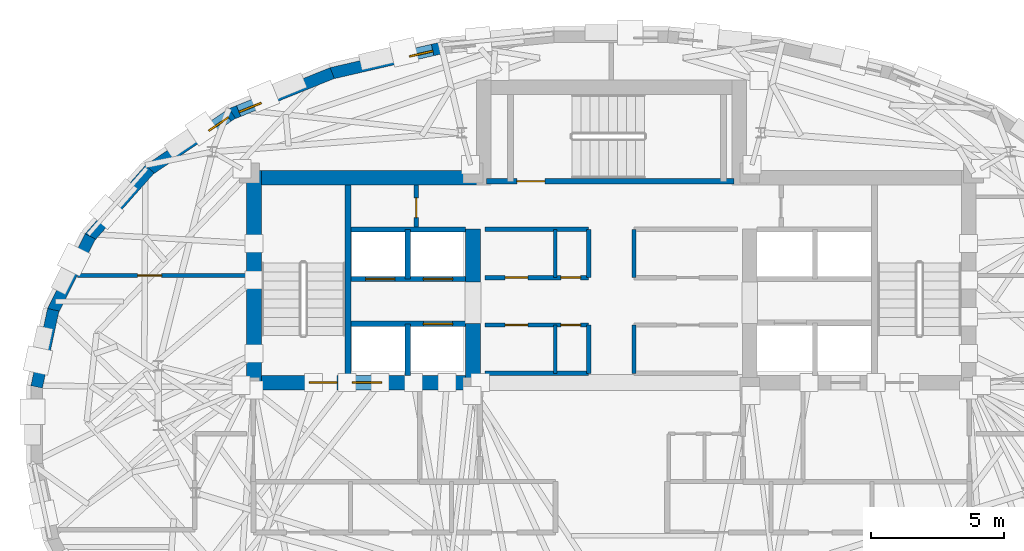
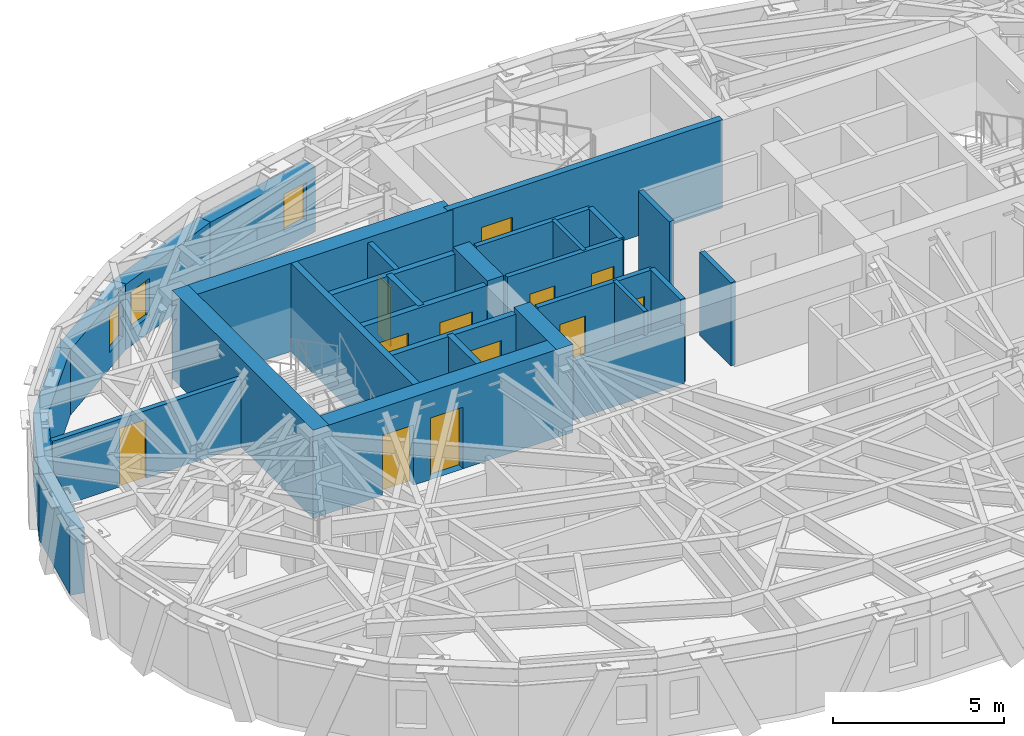
# One storey, part 7 of 12: 30 walls, 12 doors, 3 windows, 15 openings.
"""IFC4 building model written with IfcOpenShell, lengths in metres."""

from ifc_helpers import new_model, si_unit, direction, frame, frame_2d, origin, place, context, subcontext, project, spatial, rectangle, extrude, material, layer, layer_set, type_object, element, fill, save


model = new_model("IFC4")

# Units and contexts
model_context = context("Model", 3, precision=1e-05, world=origin(), true_north=direction((0.0, 1.0)))
body_context = subcontext(model_context, "Body", "Model", "MODEL_VIEW")
ifc_project = project(units=[si_unit("LENGTHUNIT", "METRE"), si_unit("AREAUNIT", "SQUARE_METRE"), si_unit("VOLUMEUNIT", "CUBIC_METRE"), si_unit("PLANEANGLEUNIT", "RADIAN"), si_unit("MASSUNIT", "GRAM", prefix="KILO")], contexts=[model_context])

# Site, building, storey
site_placement = place(None, origin())
site = spatial("IfcSite", under=ifc_project, at=site_placement, CompositionType="ELEMENT")
building_placement = place(site_placement, origin())
building = spatial("IfcBuilding", under=site, at=building_placement, Name="Keldmark Tower", CompositionType="ELEMENT")
storey_placement = place(building_placement, frame((0.0, 0.0, 238.35009765625)))
storey = spatial("IfcBuildingStorey", under=building, at=storey_placement, Name="L67", CompositionType="ELEMENT", Elevation=238.35009765625)

# Walls
ifc_material_1 = material(Name="Concrete C50/60", Category="concrete")
ifc_layer_1 = layer(ifc_material_1, 0.550048828125)
ifc_layer_set_1 = layer_set([ifc_layer_1], Name="Concrete C50/60")
wall_type_1 = type_object("IfcWallType", Name="High-Rise Core Shear Wall 550 mm", PredefinedType="SHEAR", material=ifc_layer_set_1)
wall_1_placement = place(storey_placement, frame((-13.425048828125, 1.300048828125, 0.0), z_axis=(0.0, 0.0, 1.0), x_axis=(0.0, 1.0, 0.0)))
element("IfcWall", 1, at=wall_1_placement, inside=storey, type_object=wall_type_1, Name="L67 West Core Outer Shear Wall", PredefinedType="SHEAR", context=body_context, shape_type="SweptSolid", body=[
    extrude(rectangle(XDim=8.25, YDim=0.550048828125, at=frame_2d((4.125, 0.0))), origin(), (0.0, 0.0, 1.0), 3.14990234375),
])
wall_2_placement = place(storey_placement, frame((-13.699951171875, 9.27490234375, 0.0), z_axis=(0.0, 0.0, 1.0), x_axis=(1.0, 0.0, 0.0)))
element("IfcWall", 2, at=wall_2_placement, inside=storey, type_object=wall_type_1, Name="L67 West Core North Shear Wall", PredefinedType="SHEAR", context=body_context, shape_type="SweptSolid", body=[
    extrude(rectangle(XDim=9.175048828125, YDim=0.550048828125, at=frame_2d((4.58740234375, 0.0))), origin(), (0.0, 0.0, 1.0), 3.14990234375),
])

# Wall, openings, doors
wall_3_placement = place(storey_placement, frame((-4.925048828125, 1.574951171875, 0.0), z_axis=(0.0, 0.0, 1.0), x_axis=(-1.0, 0.0, 0.0)))
wall_3 = element("IfcWall", 3, at=wall_3_placement, inside=storey, type_object=wall_type_1, Name="L67 West Core South Shear Wall", PredefinedType="SHEAR", context=body_context, shape_type="SweptSolid", body=[
    extrude(rectangle(XDim=8.77490234375, YDim=0.550048828125, at=frame_2d((4.387451171875, 0.0))), origin(), (0.0, 0.0, 1.0), 3.14990234375),
])
opening_1_placement = place(wall_3_placement, frame((5.375, 0.0, 0.0)))
opening_1 = element("IfcOpeningElement", 4, at=opening_1_placement, cuts=wall_3, Name="Opening D-ST105", PredefinedType="OPENING", context=body_context, shape_type="SweptSolid", body=[
    extrude(rectangle(XDim=1.050048828125, YDim=2.14990234375, at=frame_2d((0.52490234375, 1.074951171875))), frame((0.0, 0.284912109375, 0.0), z_axis=(0.0, -1.0, 0.0), x_axis=(1.0, 0.0, 0.0)), (0.0, 0.0, 1.0), 0.570068359375),
])
opening_2_placement = place(wall_3_placement, frame((3.705078125, 0.0, 0.0)))
opening_2 = element("IfcOpeningElement", 5, at=opening_2_placement, cuts=wall_3, Name="Opening LD-110", PredefinedType="OPENING", context=body_context, shape_type="SweptSolid", body=[
    extrude(rectangle(XDim=1.10009765625, YDim=2.199951171875, at=frame_2d((0.550048828125, 1.10009765625))), frame((0.0, 0.284912109375, 0.0), z_axis=(0.0, -1.0, 0.0), x_axis=(1.0, 0.0, 0.0)), (0.0, 0.0, 1.0), 0.570068359375),
])
ifc_material_2 = material(Name="Brushed Bronze Hoistway Sliding Leaf", Category="metal")
door_type_1 = type_object("IfcDoorType", Name="Lift Landing Sliding Door 1100x2200", OperationType="SLIDING_TO_LEFT", PredefinedType="DOOR", material=ifc_material_2)
door_1_placement = place(opening_2_placement, origin())
door_1 = element("IfcDoor", 6, at=door_1_placement, inside=storey, type_object=door_type_1, Name="L67 Lift Landing Sliding Door 1100x2200 LD-EL-FS1-L67", OperationType="SLIDING_TO_LEFT", OverallHeight=2.199951171875, OverallWidth=1.10009765625, PredefinedType="DOOR", context=body_context, shape_type="SweptSolid", body=[
    extrude(rectangle(XDim=1.10009765625, YDim=2.199951171875, at=frame_2d((0.550048828125, 1.10009765625))), frame((0.0, 0.02490234375, 0.0), z_axis=(0.0, -1.0, 0.0), x_axis=(1.0, 0.0, 0.0)), (0.0, 0.0, 1.0), 0.050048828125),
])
fill(opening_2, door_1)
ifc_material_3 = material(Name="Hollow Metal Fire-Rated Door Assembly", Category="metal")
door_type_2 = type_object("IfcDoorType", Name="Stair Fire Door 1050x2150", OperationType="NOTDEFINED", PredefinedType="DOOR", material=ifc_material_3)
door_2_placement = place(opening_1_placement, origin())
door_2 = element("IfcDoor", 7, at=door_2_placement, inside=storey, type_object=door_type_2, Name="L67 Stair Fire Door 1050x2150 D-ST1-L67", OperationType="SINGLE_SWING_RIGHT", OverallHeight=2.14990234375, OverallWidth=1.050048828125, PredefinedType="DOOR", context=body_context, shape_type="SweptSolid", body=[
    extrude(rectangle(XDim=1.050048828125, YDim=2.14990234375, at=frame_2d((0.52490234375, 1.074951171875))), frame((0.0, 0.02490234375, 0.0), z_axis=(0.0, -1.0, 0.0), x_axis=(1.0, 0.0, 0.0)), (0.0, 0.0, 1.0), 0.050048828125),
])
fill(opening_1, door_2)

# Walls
wall_4_placement = place(storey_placement, frame((-5.199951171875, 1.300048828125, 0.0), z_axis=(0.0, 0.0, 1.0), x_axis=(0.0, 1.0, 0.0)))
element("IfcWall", 8, at=wall_4_placement, inside=storey, type_object=wall_type_1, Name="L67 West Core Inner Shear Pier South", PredefinedType="SHEAR", context=body_context, shape_type="SweptSolid", body=[
    extrude(rectangle(XDim=2.5, YDim=0.550048828125, at=frame_2d((1.25, 0.0))), origin(), (0.0, 0.0, 1.0), 3.14990234375),
])
wall_5_placement = place(storey_placement, frame((-5.199951171875, 5.35009765625, 0.0), z_axis=(0.0, 0.0, 1.0), x_axis=(0.0, 1.0, 0.0)))
element("IfcWall", 9, at=wall_5_placement, inside=storey, type_object=wall_type_1, Name="L67 West Core Inner Shear Pier North", PredefinedType="SHEAR", context=body_context, shape_type="SweptSolid", body=[
    extrude(rectangle(XDim=2.0, YDim=0.550048828125, at=frame_2d((1.0, 0.0))), origin(), (0.0, 0.0, 1.0), 3.14990234375),
])
ifc_material_4 = material(Name="Acoustic Gypsum Board Interior Partition", Category="gypsum")
ifc_layer_2 = layer(ifc_material_4, 0.1298828125)
ifc_layer_set_2 = layer_set([ifc_layer_2], Name="Acoustic Gypsum Board Interior Partition")
wall_type_2 = type_object("IfcWallType", Name="Interior Partition 130 mm", PredefinedType="PARTITIONING", material=ifc_layer_set_2)
wall_6_placement = place(storey_placement, frame((-2.10009765625, 1.919921875, 0.0), z_axis=(0.0, 0.0, 1.0), x_axis=(0.0, 1.0, 0.0)))
element("IfcWall", 10, at=wall_6_placement, inside=storey, type_object=wall_type_2, Name="L67 Interior Partition 130 mm REC-LW-M", PredefinedType="PARTITIONING", context=body_context, shape_type="SweptSolid", body=[
    extrude(rectangle(XDim=1.820068359375, YDim=0.1298828125, at=frame_2d((0.91015625, 0.0))), origin(), (0.0, 0.0, 1.0), 2.969970703125),
])
wall_7_placement = place(storey_placement, frame((-2.10009765625, 5.52001953125, 0.0), z_axis=(0.0, 0.0, 1.0), x_axis=(0.0, 1.0, 0.0)))
element("IfcWall", 11, at=wall_7_placement, inside=storey, type_object=wall_type_2, Name="L67 Interior Partition 130 mm REC-MW-M", PredefinedType="PARTITIONING", context=body_context, shape_type="SweptSolid", body=[
    extrude(rectangle(XDim=1.81005859375, YDim=0.1298828125, at=frame_2d((0.905029296875, 0.0))), origin(), (0.0, 0.0, 1.0), 2.969970703125),
])
ifc_material_5 = material(Name="Type X Fire-Rated Gypsum Partition Assembly", Category="gypsum")
ifc_layer_3 = layer(ifc_material_5, 0.1650390625)
ifc_layer_set_3 = layer_set([ifc_layer_3], Name="Type X Fire-Rated Gypsum Partition Assembly")
wall_type_3 = type_object("IfcWallType", Name="Rated Partition 165 mm", PredefinedType="PARTITIONING", material=ifc_layer_set_3)
wall_8_placement = place(storey_placement, frame((-4.739990234375, 1.919921875, 0.0), z_axis=(0.0, 0.0, 1.0), x_axis=(1.0, 0.0, 0.0)))
element("IfcWall", 12, at=wall_8_placement, inside=storey, type_object=wall_type_3, Name="L67 Rated Partition 165 mm REC-LW-S", PredefinedType="PARTITIONING", context=body_context, shape_type="SweptSolid", body=[
    extrude(rectangle(XDim=3.889892578125, YDim=0.1650390625, at=frame_2d((1.94482421875, 0.0))), origin(), (0.0, 0.0, 1.0), 2.10986328125),
])

# Wall, openings, doors
wall_9_placement = place(storey_placement, frame((-4.739990234375, 3.739990234375, 0.0), z_axis=(0.0, 0.0, 1.0), x_axis=(1.0, 0.0, 0.0)))
wall_9 = element("IfcWall", 13, at=wall_9_placement, inside=storey, type_object=wall_type_3, Name="L67 Rated Partition 165 mm REC-LW-N", PredefinedType="PARTITIONING", context=body_context, shape_type="SweptSolid", body=[
    extrude(rectangle(XDim=3.889892578125, YDim=0.1650390625, at=frame_2d((1.94482421875, 0.0))), origin(), (0.0, 0.0, 1.0), 2.969970703125),
])
opening_3_placement = place(wall_9_placement, frame((0.75, 0.0, 0.0)))
opening_3 = element("IfcOpeningElement", 14, at=opening_3_placement, cuts=wall_9, Name="Opening D-SV085", PredefinedType="OPENING", context=body_context, shape_type="SweptSolid", body=[
    extrude(rectangle(XDim=0.85009765625, YDim=2.10009765625, at=frame_2d((0.425048828125, 1.050048828125))), frame((0.0, 0.092529296875, 0.0), z_axis=(0.0, -1.0, 0.0), x_axis=(1.0, 0.0, 0.0)), (0.0, 0.0, 1.0), 0.18505859375),
])
opening_4_placement = place(wall_9_placement, frame((2.840087890625, 0.0, 0.0)))
opening_4 = element("IfcOpeningElement", 15, at=opening_4_placement, cuts=wall_9, Name="Opening D-RS075", PredefinedType="OPENING", context=body_context, shape_type="SweptSolid", body=[
    extrude(rectangle(XDim=0.75, YDim=2.10009765625, at=frame_2d((0.375, 1.050048828125))), frame((0.0, 0.092529296875, 0.0), z_axis=(0.0, -1.0, 0.0), x_axis=(1.0, 0.0, 0.0)), (0.0, 0.0, 1.0), 0.18505859375),
])
ifc_material_6 = material(Name="Galvanized Fire-Rated Access Leaf", Category="metal")
door_type_3 = type_object("IfcDoorType", Name="Riser Access Door 750x2100", OperationType="NOTDEFINED", PredefinedType="DOOR", material=ifc_material_6)
door_3_placement = place(opening_4_placement, origin())
door_3 = element("IfcDoor", 16, at=door_3_placement, inside=storey, type_object=door_type_3, Name="L67 Riser Access Door 750x2100 D-RECLW2-L67", OperationType="SINGLE_SWING_RIGHT", OverallHeight=2.10009765625, OverallWidth=0.75, PredefinedType="DOOR", context=body_context, shape_type="SweptSolid", body=[
    extrude(rectangle(XDim=0.75, YDim=2.10009765625, at=frame_2d((0.375, 1.050048828125))), frame((0.0, 0.02490234375, 0.0), z_axis=(0.0, -1.0, 0.0), x_axis=(1.0, 0.0, 0.0)), (0.0, 0.0, 1.0), 0.050048828125),
])
fill(opening_4, door_3)
ifc_material_7 = material(Name="Painted Hollow Metal Door Assembly", Category="metal")
door_type_4 = type_object("IfcDoorType", Name="Service Door 850x2100", OperationType="NOTDEFINED", PredefinedType="DOOR", material=ifc_material_7)
door_4_placement = place(opening_3_placement, origin())
door_4 = element("IfcDoor", 17, at=door_4_placement, inside=storey, type_object=door_type_4, Name="L67 Service Door 850x2100 D-RECLW1-L67", OperationType="SINGLE_SWING_LEFT", OverallHeight=2.10009765625, OverallWidth=0.85009765625, PredefinedType="DOOR", context=body_context, shape_type="SweptSolid", body=[
    extrude(rectangle(XDim=0.85009765625, YDim=2.10009765625, at=frame_2d((0.425048828125, 1.050048828125))), frame((0.0, 0.02490234375, 0.0), z_axis=(0.0, -1.0, 0.0), x_axis=(1.0, 0.0, 0.0)), (0.0, 0.0, 1.0), 0.050048828125),
])
fill(opening_3, door_4)

# Walls
for number, where, z_axis, x_axis, name in (
    (18, (-0.85009765625, 1.919921875, 0.0), (0.0, 0.0, 1.0), (0.0, 1.0, 0.0), "L67 Rated Partition 165 mm REC-LW-E"),
    (19, (0.85009765625, 1.919921875, 0.0), (0.0, 0.0, 1.0), (0.0, 1.0, 0.0), "L67 Rated Partition 165 mm REC-LE-W"),
):
    element("IfcWall", number, at=place(storey_placement, frame(where, z_axis=z_axis, x_axis=x_axis)), inside=storey, type_object=wall_type_3, Name=name, PredefinedType="PARTITIONING", context=body_context, shape_type="SweptSolid", body=[
        extrude(rectangle(XDim=1.820068359375, YDim=0.1650390625, at=frame_2d((0.91015625, 0.0))), origin(), (0.0, 0.0, 1.0), 2.969970703125),
    ])

# Wall, openings, doors
wall_10_placement = place(storey_placement, frame((-4.739990234375, 5.52001953125, 0.0), z_axis=(0.0, 0.0, 1.0), x_axis=(1.0, 0.0, 0.0)))
wall_10 = element("IfcWall", 20, at=wall_10_placement, inside=storey, type_object=wall_type_3, Name="L67 Rated Partition 165 mm REC-MW-S", PredefinedType="PARTITIONING", context=body_context, shape_type="SweptSolid", body=[
    extrude(rectangle(XDim=3.889892578125, YDim=0.1650390625, at=frame_2d((1.94482421875, 0.0))), origin(), (0.0, 0.0, 1.0), 2.969970703125),
])
opening_5_placement = place(wall_10_placement, frame((0.75, 0.0, 0.0)))
opening_5 = element("IfcOpeningElement", 21, at=opening_5_placement, cuts=wall_10, Name="Opening D-SV085", PredefinedType="OPENING", context=body_context, shape_type="SweptSolid", body=[
    extrude(rectangle(XDim=0.85009765625, YDim=2.10009765625, at=frame_2d((0.425048828125, 1.050048828125))), frame((0.0, 0.092529296875, 0.0), z_axis=(0.0, -1.0, 0.0), x_axis=(1.0, 0.0, 0.0)), (0.0, 0.0, 1.0), 0.18505859375),
])
opening_6_placement = place(wall_10_placement, frame((2.840087890625, 0.0, 0.0)))
opening_6 = element("IfcOpeningElement", 22, at=opening_6_placement, cuts=wall_10, Name="Opening D-RS075", PredefinedType="OPENING", context=body_context, shape_type="SweptSolid", body=[
    extrude(rectangle(XDim=0.75, YDim=2.10009765625, at=frame_2d((0.375, 1.050048828125))), frame((0.0, 0.092529296875, 0.0), z_axis=(0.0, -1.0, 0.0), x_axis=(1.0, 0.0, 0.0)), (0.0, 0.0, 1.0), 0.18505859375),
])
door_5_placement = place(opening_6_placement, origin())
door_5 = element("IfcDoor", 23, at=door_5_placement, inside=storey, type_object=door_type_3, Name="L67 Riser Access Door 750x2100 D-RECMW2-L67", OperationType="SINGLE_SWING_RIGHT", OverallHeight=2.10009765625, OverallWidth=0.75, PredefinedType="DOOR", context=body_context, shape_type="SweptSolid", body=[
    extrude(rectangle(XDim=0.75, YDim=2.10009765625, at=frame_2d((0.375, 1.050048828125))), frame((0.0, 0.02490234375, 0.0), z_axis=(0.0, -1.0, 0.0), x_axis=(1.0, 0.0, 0.0)), (0.0, 0.0, 1.0), 0.050048828125),
])
fill(opening_6, door_5)
door_6_placement = place(opening_5_placement, origin())
door_6 = element("IfcDoor", 24, at=door_6_placement, inside=storey, type_object=door_type_4, Name="L67 Service Door 850x2100 D-RECMW1-L67", OperationType="SINGLE_SWING_RIGHT", OverallHeight=2.10009765625, OverallWidth=0.85009765625, PredefinedType="DOOR", context=body_context, shape_type="SweptSolid", body=[
    extrude(rectangle(XDim=0.85009765625, YDim=2.10009765625, at=frame_2d((0.425048828125, 1.050048828125))), frame((0.0, 0.02490234375, 0.0), z_axis=(0.0, -1.0, 0.0), x_axis=(1.0, 0.0, 0.0)), (0.0, 0.0, 1.0), 0.050048828125),
])
fill(opening_5, door_6)

# Walls
wall_11_placement = place(storey_placement, frame((-4.739990234375, 7.330078125, 0.0), z_axis=(0.0, 0.0, 1.0), x_axis=(1.0, 0.0, 0.0)))
element("IfcWall", 25, at=wall_11_placement, inside=storey, type_object=wall_type_3, Name="L67 Rated Partition 165 mm REC-MW-N", PredefinedType="PARTITIONING", context=body_context, shape_type="SweptSolid", body=[
    extrude(rectangle(XDim=3.889892578125, YDim=0.1650390625, at=frame_2d((1.94482421875, 0.0))), origin(), (0.0, 0.0, 1.0), 2.969970703125),
])
for number, where, z_axis, x_axis, name in (
    (26, (-0.85009765625, 5.52001953125, 0.0), (0.0, 0.0, 1.0), (0.0, 1.0, 0.0), "L67 Rated Partition 165 mm REC-MW-E"),
    (27, (0.85009765625, 5.52001953125, 0.0), (0.0, 0.0, 1.0), (0.0, 1.0, 0.0), "L67 Rated Partition 165 mm REC-ME-W"),
):
    element("IfcWall", number, at=place(storey_placement, frame(where, z_axis=z_axis, x_axis=x_axis)), inside=storey, type_object=wall_type_3, Name=name, PredefinedType="PARTITIONING", context=body_context, shape_type="SweptSolid", body=[
        extrude(rectangle(XDim=1.81005859375, YDim=0.1650390625, at=frame_2d((0.905029296875, 0.0))), origin(), (0.0, 0.0, 1.0), 2.969970703125),
    ])

# Wall, opening, door
wall_12_placement = place(storey_placement, frame((-7.330078125, 7.419921875, 0.0), z_axis=(0.0, 0.0, 1.0), x_axis=(0.0, 1.0, 0.0)))
wall_12 = element("IfcWall", 28, at=wall_12_placement, inside=storey, type_object=wall_type_3, Name="L67 Rated Partition 165 mm CS-NW-E", PredefinedType="PARTITIONING", context=body_context, shape_type="SweptSolid", body=[
    extrude(rectangle(XDim=1.580078125, YDim=0.1650390625, at=frame_2d((0.7900390625, 0.0))), origin(), (0.0, 0.0, 1.0), 2.969970703125),
])
opening_7_placement = place(wall_12_placement, frame((0.35009765625, 0.0, 0.0)))
opening_7 = element("IfcOpeningElement", 29, at=opening_7_placement, cuts=wall_12, Name="Opening D-RS075", PredefinedType="OPENING", context=body_context, shape_type="SweptSolid", body=[
    extrude(rectangle(XDim=0.75, YDim=2.10009765625, at=frame_2d((0.375, 1.050048828125))), frame((0.0, 0.092529296875, 0.0), z_axis=(0.0, -1.0, 0.0), x_axis=(1.0, 0.0, 0.0)), (0.0, 0.0, 1.0), 0.18505859375),
])
door_7_placement = place(opening_7_placement, origin())
door_7 = element("IfcDoor", 30, at=door_7_placement, inside=storey, type_object=door_type_3, Name="L67 Riser Access Door 750x2100 D-CSNW1-L67", OperationType="SINGLE_SWING_RIGHT", OverallHeight=2.10009765625, OverallWidth=0.75, PredefinedType="DOOR", context=body_context, shape_type="SweptSolid", body=[
    extrude(rectangle(XDim=0.75, YDim=2.10009765625, at=frame_2d((0.375, 1.050048828125))), frame((0.0, 0.02490234375, 0.0), z_axis=(0.0, -1.0, 0.0), x_axis=(1.0, 0.0, 0.0)), (0.0, 0.0, 1.0), 0.050048828125),
])
fill(opening_7, door_7)

wall_13_placement = place(storey_placement, frame((-20.059814453125, 5.60009765625, 0.0), z_axis=(0.0, 0.0, 1.0), x_axis=(1.0, 0.0, 0.0)))
wall_13 = element("IfcWall", 31, at=wall_13_placement, inside=storey, type_object=wall_type_3, Name="L67 Rated Partition 165 mm RW-NDIV", PredefinedType="PARTITIONING", context=body_context, shape_type="SweptSolid", body=[
    extrude(rectangle(XDim=6.35986328125, YDim=0.1650390625, at=frame_2d((3.179931640625, 0.0))), origin(), (0.0, 0.0, 1.0), 2.4228515625),
])
opening_8_placement = place(wall_13_placement, frame((2.2587890625, 0.0, 0.0)))
opening_8 = element("IfcOpeningElement", 32, at=opening_8_placement, cuts=wall_13, Name="Opening D-IN090", PredefinedType="OPENING", context=body_context, shape_type="SweptSolid", body=[
    extrude(rectangle(XDim=0.89990234375, YDim=2.10009765625, at=frame_2d((0.449951171875, 1.050048828125))), frame((0.0, 0.092529296875, 0.0), z_axis=(0.0, -1.0, 0.0), x_axis=(1.0, 0.0, 0.0)), (0.0, 0.0, 1.0), 0.18505859375),
])
ifc_material_8 = material(Name="Stained American White Oak Veneer", Category="wood")
door_type_5 = type_object("IfcDoorType", Name="Interior Door 900x2100", OperationType="NOTDEFINED", PredefinedType="DOOR", material=ifc_material_8)
door_8_placement = place(opening_8_placement, origin())
door_8 = element("IfcDoor", 33, at=door_8_placement, inside=storey, type_object=door_type_5, Name="L67 Interior Door 900x2100 D-RWN1-L67", OperationType="SINGLE_SWING_LEFT", OverallHeight=2.10009765625, OverallWidth=0.89990234375, PredefinedType="DOOR", context=body_context, shape_type="SweptSolid", body=[
    extrude(rectangle(XDim=0.89990234375, YDim=2.10009765625, at=frame_2d((0.449951171875, 1.050048828125))), frame((0.0, 0.02490234375, 0.0), z_axis=(0.0, -1.0, 0.0), x_axis=(1.0, 0.0, 0.0)), (0.0, 0.0, 1.0), 0.050048828125),
])
fill(opening_8, door_8)

ifc_material_9 = material(Name="Fire-Resistant Type X Gypsum Shaftliner Coreboard", Category="gypsum")
ifc_layer_4 = layer(ifc_material_9, 0.199951171875)
ifc_layer_set_4 = layer_set([ifc_layer_4], Name="Fire-Resistant Type X Gypsum Shaftliner Coreboard")
wall_type_4 = type_object("IfcWallType", Name="Shaft Wall 200 mm", PredefinedType="SOLIDWALL", material=ifc_layer_set_4)
wall_14_placement = place(storey_placement, frame((-9.780029296875, 3.780029296875, 0.0), z_axis=(0.0, 0.0, 1.0), x_axis=(1.0, 0.0, 0.0)))
wall_14 = element("IfcWall", 34, at=wall_14_placement, inside=storey, type_object=wall_type_4, Name="L67 Shaft Wall 200 mm HW-W-S", PredefinedType="SOLIDWALL", context=body_context, shape_type="SweptSolid", body=[
    extrude(rectangle(XDim=4.304931640625, YDim=0.199951171875, at=frame_2d((2.15234375, 0.0))), origin(), (0.0, 0.0, 1.0), 2.969970703125),
])
opening_9_placement = place(wall_14_placement, frame((2.719970703125, 0.0, 0.0)))
opening_9 = element("IfcOpeningElement", 35, at=opening_9_placement, cuts=wall_14, Name="Opening LD-110", PredefinedType="OPENING", context=body_context, shape_type="SweptSolid", body=[
    extrude(rectangle(XDim=1.10009765625, YDim=2.199951171875, at=frame_2d((0.550048828125, 1.10009765625))), frame((0.0, 0.10986328125, 0.0), z_axis=(0.0, -1.0, 0.0), x_axis=(1.0, 0.0, 0.0)), (0.0, 0.0, 1.0), 0.219970703125),
])
door_9_placement = place(opening_9_placement, origin())
door_9 = element("IfcDoor", 36, at=door_9_placement, inside=storey, type_object=door_type_1, Name="L67 Lift Landing Sliding Door 1100x2200 LD-EL-H3-L67", OperationType="SLIDING_TO_LEFT", OverallHeight=2.199951171875, OverallWidth=1.10009765625, PredefinedType="DOOR", context=body_context, shape_type="SweptSolid", body=[
    extrude(rectangle(XDim=1.10009765625, YDim=2.199951171875, at=frame_2d((0.550048828125, 1.10009765625))), frame((0.0, 0.02490234375, 0.0), z_axis=(0.0, -1.0, 0.0), x_axis=(1.0, 0.0, 0.0)), (0.0, 0.0, 1.0), 0.050048828125),
])
fill(opening_9, door_9)

# Wall
wall_15_placement = place(storey_placement, frame((-7.64990234375, 1.85009765625, 0.0), z_axis=(0.0, 0.0, 1.0), x_axis=(0.0, 1.0, 0.0)))
element("IfcWall", 37, at=wall_15_placement, inside=storey, type_object=wall_type_4, Name="L67 Shaft Wall 200 mm HW-W-M", PredefinedType="SOLIDWALL", context=body_context, shape_type="SweptSolid", body=[
    extrude(rectangle(XDim=1.929931640625, YDim=0.199951171875, at=frame_2d((0.96484375, 0.0))), origin(), (0.0, 0.0, 1.0), 2.969970703125),
])

# Wall, openings, doors
wall_16_placement = place(storey_placement, frame((-9.780029296875, 5.469970703125, 0.0), z_axis=(0.0, 0.0, 1.0), x_axis=(1.0, 0.0, 0.0)))
wall_16 = element("IfcWall", 38, at=wall_16_placement, inside=storey, type_object=wall_type_4, Name="L67 Shaft Wall 200 mm HW-W-N", PredefinedType="SOLIDWALL", context=body_context, shape_type="SweptSolid", body=[
    extrude(rectangle(XDim=4.304931640625, YDim=0.199951171875, at=frame_2d((2.15234375, 0.0))), origin(), (0.0, 0.0, 1.0), 2.969970703125),
])
opening_10_placement = place(wall_16_placement, frame((0.550048828125, 0.0, 0.0)))
opening_10 = element("IfcOpeningElement", 39, at=opening_10_placement, cuts=wall_16, Name="Opening LD-110", PredefinedType="OPENING", context=body_context, shape_type="SweptSolid", body=[
    extrude(rectangle(XDim=1.10009765625, YDim=2.199951171875, at=frame_2d((0.550048828125, 1.10009765625))), frame((0.0, 0.10986328125, 0.0), z_axis=(0.0, -1.0, 0.0), x_axis=(1.0, 0.0, 0.0)), (0.0, 0.0, 1.0), 0.219970703125),
])
opening_11_placement = place(wall_16_placement, frame((2.719970703125, 0.0, 0.0)))
opening_11 = element("IfcOpeningElement", 40, at=opening_11_placement, cuts=wall_16, Name="Opening LD-110", PredefinedType="OPENING", context=body_context, shape_type="SweptSolid", body=[
    extrude(rectangle(XDim=1.10009765625, YDim=2.199951171875, at=frame_2d((0.550048828125, 1.10009765625))), frame((0.0, 0.10986328125, 0.0), z_axis=(0.0, -1.0, 0.0), x_axis=(1.0, 0.0, 0.0)), (0.0, 0.0, 1.0), 0.219970703125),
])
door_10_placement = place(opening_10_placement, origin())
door_10 = element("IfcDoor", 41, at=door_10_placement, inside=storey, type_object=door_type_1, Name="L67 Lift Landing Sliding Door 1100x2200 LD-EL-H1-L67", OperationType="SLIDING_TO_LEFT", OverallHeight=2.199951171875, OverallWidth=1.10009765625, PredefinedType="DOOR", context=body_context, shape_type="SweptSolid", body=[
    extrude(rectangle(XDim=1.10009765625, YDim=2.199951171875, at=frame_2d((0.550048828125, 1.10009765625))), frame((0.0, 0.02490234375, 0.0), z_axis=(0.0, -1.0, 0.0), x_axis=(1.0, 0.0, 0.0)), (0.0, 0.0, 1.0), 0.050048828125),
])
fill(opening_10, door_10)
door_11_placement = place(opening_11_placement, origin())
door_11 = element("IfcDoor", 42, at=door_11_placement, inside=storey, type_object=door_type_1, Name="L67 Lift Landing Sliding Door 1100x2200 LD-EL-H2-L67", OperationType="SLIDING_TO_LEFT", OverallHeight=2.199951171875, OverallWidth=1.10009765625, PredefinedType="DOOR", context=body_context, shape_type="SweptSolid", body=[
    extrude(rectangle(XDim=1.10009765625, YDim=2.199951171875, at=frame_2d((0.550048828125, 1.10009765625))), frame((0.0, 0.02490234375, 0.0), z_axis=(0.0, -1.0, 0.0), x_axis=(1.0, 0.0, 0.0)), (0.0, 0.0, 1.0), 0.050048828125),
])
fill(opening_11, door_11)

# Walls
wall_17_placement = place(storey_placement, frame((-9.780029296875, 7.330078125, 0.0), z_axis=(0.0, 0.0, 1.0), x_axis=(1.0, 0.0, 0.0)))
element("IfcWall", 43, at=wall_17_placement, inside=storey, type_object=wall_type_4, Name="L67 Shaft Wall 200 mm HW-W-TOP", PredefinedType="SOLIDWALL", context=body_context, shape_type="SweptSolid", body=[
    extrude(rectangle(XDim=4.304931640625, YDim=0.199951171875, at=frame_2d((2.15234375, 0.0))), origin(), (0.0, 0.0, 1.0), 2.969970703125),
])
wall_18_placement = place(storey_placement, frame((-7.64990234375, 5.469970703125, 0.0), z_axis=(0.0, 0.0, 1.0), x_axis=(0.0, 1.0, 0.0)))
element("IfcWall", 44, at=wall_18_placement, inside=storey, type_object=wall_type_4, Name="L67 Shaft Wall 200 mm HW-W-NM", PredefinedType="SOLIDWALL", context=body_context, shape_type="SweptSolid", body=[
    extrude(rectangle(XDim=1.860107421875, YDim=0.199951171875, at=frame_2d((0.93017578125, 0.0))), origin(), (0.0, 0.0, 1.0), 2.969970703125),
])
ifc_material_10 = material(Name="Concrete C50/60", Category="concrete")
ifc_layer_5 = layer(ifc_material_10, 0.219970703125)
ifc_layer_set_5 = layer_set([ifc_layer_5], Name="Concrete C50/60")
wall_type_5 = type_object("IfcWallType", Name="Stair Core Shear Wall 220 mm", PredefinedType="SHEAR", material=ifc_layer_set_5)
wall_19_placement = place(storey_placement, frame((-9.889892578125, 1.85009765625, 0.0), z_axis=(0.0, 0.0, 1.0), x_axis=(0.0, 1.0, 0.0)))
element("IfcWall", 45, at=wall_19_placement, inside=storey, type_object=wall_type_5, Name="L67 West Stair Core Shear Wall", PredefinedType="SHEAR", context=body_context, shape_type="SweptSolid", body=[
    extrude(rectangle(XDim=7.14990234375, YDim=0.219970703125, at=frame_2d((3.574951171875, 0.0))), origin(), (0.0, 0.0, 1.0), 3.14990234375),
])

# Wall, opening, door
wall_20_placement = place(storey_placement, frame((-4.699951171875, 9.139892578125, 0.0), z_axis=(0.0, 0.0, 1.0), x_axis=(1.0, 0.0, 0.0)))
wall_20 = element("IfcWall", 46, at=wall_20_placement, inside=storey, type_object=wall_type_5, Name="L67 Central Stair Core South Shear Wall", PredefinedType="SHEAR", context=body_context, shape_type="SweptSolid", body=[
    extrude(rectangle(XDim=9.300048828125, YDim=0.219970703125, at=frame_2d((4.64990234375, 0.0))), origin(), (0.0, 0.0, 1.0), 3.14990234375),
])
opening_12_placement = place(wall_20_placement, frame((1.14990234375, 0.0, 0.0)))
opening_12 = element("IfcOpeningElement", 47, at=opening_12_placement, cuts=wall_20, Name="Opening D-ST105", PredefinedType="OPENING", context=body_context, shape_type="SweptSolid", body=[
    extrude(rectangle(XDim=1.050048828125, YDim=2.14990234375, at=frame_2d((0.52490234375, 1.074951171875))), frame((0.0, 0.119873046875, 0.0), z_axis=(0.0, -1.0, 0.0), x_axis=(1.0, 0.0, 0.0)), (0.0, 0.0, 1.0), 0.239990234375),
])
door_12_placement = place(opening_12_placement, origin())
door_12 = element("IfcDoor", 48, at=door_12_placement, inside=storey, type_object=door_type_2, Name="L67 Stair Fire Door 1050x2150 D-ST3-L67", OperationType="SINGLE_SWING_LEFT", OverallHeight=2.14990234375, OverallWidth=1.050048828125, PredefinedType="DOOR", context=body_context, shape_type="SweptSolid", body=[
    extrude(rectangle(XDim=1.050048828125, YDim=2.14990234375, at=frame_2d((0.52490234375, 1.074951171875))), frame((0.0, 0.02490234375, 0.0), z_axis=(0.0, -1.0, 0.0), x_axis=(1.0, 0.0, 0.0)), (0.0, 0.0, 1.0), 0.050048828125),
])
fill(opening_12, door_12)

# Wall, opening, window
ifc_material_11 = material(Name="Ironspot Manganese Brick and Kasota Buff Limestone Spandrel Assembly", Category="masonry")
ifc_layer_6 = layer(ifc_material_11, 0.43994140625)
ifc_layer_set_6 = layer_set([ifc_layer_6], Name="Ironspot Manganese Brick and Kasota Buff Limestone Spandrel Assembly")
wall_type_6 = type_object("IfcWallType", Name="Tower Brick Pier and Spandrel Wall 440 mm", PredefinedType="STANDARD", material=ifc_layer_set_6)
wall_21_placement = place(storey_placement, frame((-10.520263671875, 13.194580078125, 0.0), z_axis=(0.0, 0.0, 1.0), x_axis=(0.974398936081, 0.224825962391, 0.0)))
wall_21 = element("IfcWall", 49, at=wall_21_placement, inside=storey, type_object=wall_type_6, Name="L67 Exterior Brick and Spandrel Wall 10", PredefinedType="STANDARD", context=body_context, shape_type="SweptSolid", body=[
    extrude(rectangle(XDim=4.25244140625, YDim=0.43994140625, at=frame_2d((2.126220703125, 0.0))), origin(), (0.0, 0.0, 1.0), 2.3359375),
])
opening_13_placement = place(wall_21_placement, frame((3.0048828125, 0.0, 0.580078125)))
opening_13 = element("IfcOpeningElement", 50, at=opening_13_placement, cuts=wall_21, Name="Opening W-09", PredefinedType="OPENING", context=body_context, shape_type="SweptSolid", body=[
    extrude(rectangle(XDim=0.89990234375, YDim=1.35009765625, at=frame_2d((0.449951171875, 0.675048828125))), frame((0.0, 0.22998046875, 0.0), z_axis=(0.0, -1.0, 0.0), x_axis=(1.0, 0.0, 0.0)), (0.0, 0.0, 1.0), 0.4599609375),
])
ifc_material_12 = material(Name="Thermally Broken Anodized Aluminum and Triple Low-E Argon Glazing", Category="aluminium")
window_type = type_object("IfcWindowType", Name="Corner Pier Deep-Set Window 900x1350", PartitioningType="SINGLE_PANEL", PredefinedType="WINDOW", material=ifc_material_12)
window_1_placement = place(opening_13_placement, origin())
window_1 = element("IfcWindow", 51, at=window_1_placement, inside=storey, type_object=window_type, Name="L67 Deep-Set Window 10", OverallHeight=1.35009765625, OverallWidth=0.89990234375, PartitioningType="SINGLE_PANEL", PredefinedType="WINDOW", context=body_context, shape_type="SweptSolid", body=[
    extrude(rectangle(XDim=0.89990234375, YDim=1.35009765625, at=frame_2d((0.449951171875, 0.675048828125))), frame((0.0, -0.010009765625, 0.0), z_axis=(0.0, -1.0, 0.0), x_axis=(1.0, 0.0, 0.0)), (0.0, 0.0, 1.0), 0.06005859375),
])
fill(opening_13, window_1)

wall_22_placement = place(storey_placement, frame((-14.283203125, 11.666015625, 0.0), z_axis=(0.0, 0.0, 1.0), x_axis=(0.926731976866, 0.375723093586, 0.0)))
wall_22 = element("IfcWall", 52, at=wall_22_placement, inside=storey, type_object=wall_type_6, Name="L67 Exterior Brick and Spandrel Wall 11", PredefinedType="STANDARD", context=body_context, shape_type="SweptSolid", body=[
    extrude(rectangle(XDim=4.09619140625, YDim=0.43994140625, at=frame_2d((2.048095703125, 0.0))), origin(), (0.0, 0.0, 1.0), 2.3359375),
])
opening_14_placement = place(wall_22_placement, frame((0.2998046875, 0.0, 0.580078125)))
opening_14 = element("IfcOpeningElement", 53, at=opening_14_placement, cuts=wall_22, Name="Opening W-09", PredefinedType="OPENING", context=body_context, shape_type="SweptSolid", body=[
    extrude(rectangle(XDim=0.89990234375, YDim=1.35009765625, at=frame_2d((0.449951171875, 0.675048828125))), frame((0.0, 0.22998046875, 0.0), z_axis=(0.0, -1.0, 0.0), x_axis=(1.0, 0.0, 0.0)), (0.0, 0.0, 1.0), 0.4599609375),
])
window_2_placement = place(opening_14_placement, origin())
window_2 = element("IfcWindow", 54, at=window_2_placement, inside=storey, type_object=window_type, Name="L67 Deep-Set Window 11", OverallHeight=1.35009765625, OverallWidth=0.89990234375, PartitioningType="SINGLE_PANEL", PredefinedType="WINDOW", context=body_context, shape_type="SweptSolid", body=[
    extrude(rectangle(XDim=0.89990234375, YDim=1.35009765625, at=frame_2d((0.449951171875, 0.675048828125))), frame((0.0, -0.010009765625, 0.0), z_axis=(0.0, -1.0, 0.0), x_axis=(1.0, 0.0, 0.0)), (0.0, 0.0, 1.0), 0.06005859375),
])
fill(opening_14, window_2)

wall_23_placement = place(storey_placement, frame((-17.38134765625, 9.559326171875, 0.0), z_axis=(0.0, 0.0, 1.0), x_axis=(0.827637036896, 0.561263694851, 0.0)))
wall_23 = element("IfcWall", 55, at=wall_23_placement, inside=storey, type_object=wall_type_6, Name="L67 Exterior Brick and Spandrel Wall 12", PredefinedType="STANDARD", context=body_context, shape_type="SweptSolid", body=[
    extrude(rectangle(XDim=3.792724609375, YDim=0.43994140625, at=frame_2d((1.896484375, 0.0))), origin(), (0.0, 0.0, 1.0), 2.3359375),
])
opening_15_placement = place(wall_23_placement, frame((2.692626953125, 0.0, 0.580078125)))
opening_15 = element("IfcOpeningElement", 56, at=opening_15_placement, cuts=wall_23, Name="Opening W-09", PredefinedType="OPENING", context=body_context, shape_type="SweptSolid", body=[
    extrude(rectangle(XDim=0.89990234375, YDim=1.35009765625, at=frame_2d((0.449951171875, 0.675048828125))), frame((0.0, 0.22998046875, 0.0), z_axis=(0.0, -1.0, 0.0), x_axis=(1.0, 0.0, 0.0)), (0.0, 0.0, 1.0), 0.4599609375),
])
window_3_placement = place(opening_15_placement, origin())
window_3 = element("IfcWindow", 57, at=window_3_placement, inside=storey, type_object=window_type, Name="L67 Deep-Set Window 12", OverallHeight=1.35009765625, OverallWidth=0.89990234375, PartitioningType="SINGLE_PANEL", PredefinedType="WINDOW", context=body_context, shape_type="SweptSolid", body=[
    extrude(rectangle(XDim=0.89990234375, YDim=1.35009765625, at=frame_2d((0.449951171875, 0.675048828125))), frame((0.0, -0.010009765625, 0.0), z_axis=(0.0, -1.0, 0.0), x_axis=(1.0, 0.0, 0.0)), (0.0, 0.0, 1.0), 0.06005859375),
])
fill(opening_15, window_3)

# Walls
wall_24_placement = place(storey_placement, frame((-19.609619140625, 7.021728515625, 0.0), z_axis=(0.0, 0.0, 1.0), x_axis=(0.66136043846, 0.750068243855, 0.0)))
element("IfcWall", 58, at=wall_24_placement, inside=storey, type_object=wall_type_6, Name="L67 Exterior Brick and Spandrel Wall 13", PredefinedType="STANDARD", context=body_context, shape_type="SweptSolid", body=[
    extrude(rectangle(XDim=3.431884765625, YDim=0.43994140625, at=frame_2d((1.7158203125, 0.0))), origin(), (0.0, 0.0, 1.0), 2.3359375),
])
wall_25_placement = place(storey_placement, frame((-20.98779296875, 4.2587890625, 0.0), z_axis=(0.0, 0.0, 1.0), x_axis=(0.448424724145, 0.893820601002, 0.0)))
element("IfcWall", 59, at=wall_25_placement, inside=storey, type_object=wall_type_6, Name="L67 Exterior Brick and Spandrel Wall 14", PredefinedType="STANDARD", context=body_context, shape_type="SweptSolid", body=[
    extrude(rectangle(XDim=3.1435546875, YDim=0.43994140625, at=frame_2d((1.57177734375, 0.0))), origin(), (0.0, 0.0, 1.0), 2.3359375),
])
wall_26_placement = place(storey_placement, frame((-21.59423828125, 1.410400390625, 0.0), z_axis=(0.0, 0.0, 1.0), x_axis=(0.210540350534, 0.977585168053, 0.0)))
element("IfcWall", 60, at=wall_26_placement, inside=storey, type_object=wall_type_6, Name="L67 Exterior Brick and Spandrel Wall 15", PredefinedType="STANDARD", context=body_context, shape_type="SweptSolid", body=[
    extrude(rectangle(XDim=2.96728515625, YDim=0.43994140625, at=frame_2d((1.483642578125, 0.0))), origin(), (0.0, 0.0, 1.0), 2.3359375),
])

save(model, "model.ifc")
